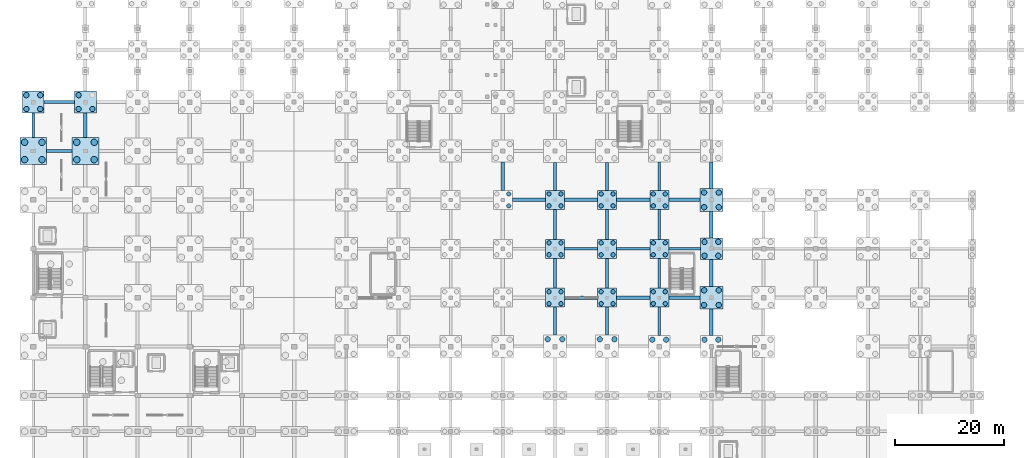
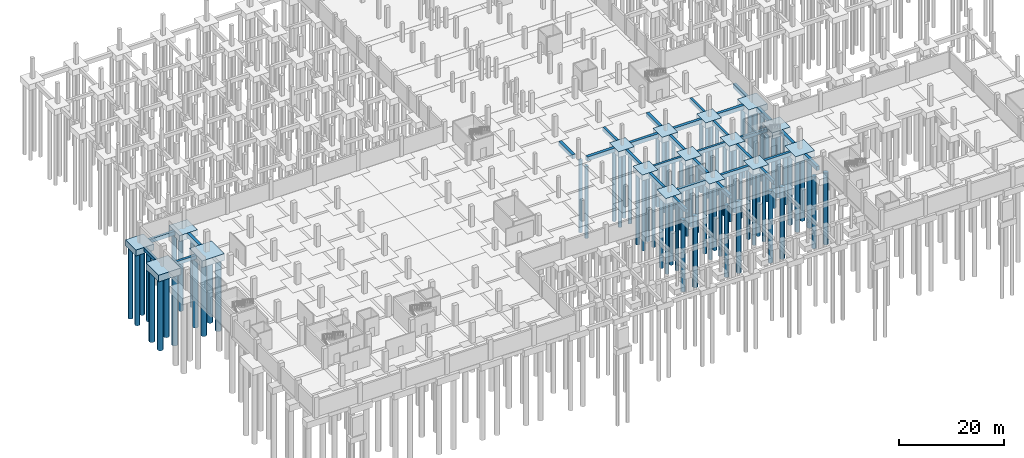
# One storey, part 5 of 39: 73 piles, 47 footings.
"""IFC4 building model written with IfcOpenShell, lengths in metres."""

from ifc_helpers import new_model, si_unit, direction, frame, origin, origin_2d, place, context, subcontext, project, spatial, polyline, rectangle, circle, outline, extrude, material, material_profile, profile_set, type_object, element, save


model = new_model("IFC4")

# Units and contexts
model_context = context("Model", 3, precision=1e-05, world=origin(), true_north=direction((0.0, 1.0)))
body_context = subcontext(model_context, "Body", "Model", "MODEL_VIEW")
ifc_project = project(units=[si_unit("LENGTHUNIT", "METRE"), si_unit("AREAUNIT", "SQUARE_METRE"), si_unit("VOLUMEUNIT", "CUBIC_METRE"), si_unit("PLANEANGLEUNIT", "RADIAN"), si_unit("MASSUNIT", "GRAM", prefix="KILO")], contexts=[model_context])

# Site, building, storey
site_placement = place(None, origin())
site = spatial("IfcSite", under=ifc_project, at=site_placement, CompositionType="ELEMENT")
building_placement = place(site_placement, origin())
building = spatial("IfcBuilding", under=site, at=building_placement, Name="Zarnetskaya Central Station", CompositionType="ELEMENT")
storey_placement = place(building_placement, frame((0.0, 0.0, -4.800048828125)))
storey = spatial("IfcBuildingStorey", under=building, at=storey_placement, Name="B1", CompositionType="ELEMENT", Elevation=-4.800048828125)

# Footings
ifc_material_1 = material(Name="Concrete C30/37", Category="concrete")
footing_type_1 = type_object("IfcFootingType", Name="FB-500x800", PredefinedType="FOOTING_BEAM", material=ifc_material_1)
footing_1_placement = place(storey_placement, frame((0.0, 0.0, -0.800048828125)))
element("IfcFooting", 1, at=footing_1_placement, inside=storey, type_object=footing_type_1, Name="Footing tie beam 6 L-M", PredefinedType="FOOTING_BEAM", context=body_context, shape_type="SweptSolid", body=[
    extrude(outline(polyline([(97.75, 39.949951171875), (103.85009765625, 39.949951171875), (103.85009765625, 40.449951171875), (97.75, 40.449951171875), (97.75, 39.949951171875)])), origin(), (0.0, 0.0, 1.0), 0.800048828125),
])
footing_2_placement = place(storey_placement, frame((0.0, 0.0, -0.800048828125)))
element("IfcFooting", 2, at=footing_2_placement, inside=storey, type_object=footing_type_1, Name="Footing tie beam 6 M-N", PredefinedType="FOOTING_BEAM", context=body_context, shape_type="SweptSolid", body=[
    extrude(outline(polyline([(107.35009765625, 39.949951171875), (113.449951171875, 39.949951171875), (113.449951171875, 40.449951171875), (107.35009765625, 40.449951171875), (107.35009765625, 39.949951171875)])), origin(), (0.0, 0.0, 1.0), 0.800048828125),
])
footing_3_placement = place(storey_placement, frame((0.0, 0.0, -0.800048828125)))
element("IfcFooting", 3, at=footing_3_placement, inside=storey, type_object=footing_type_1, Name="Footing tie beam 6 N-P", PredefinedType="FOOTING_BEAM", context=body_context, shape_type="SweptSolid", body=[
    extrude(outline(polyline([(116.949951171875, 39.949951171875), (122.800048828125, 39.949951171875), (122.800048828125, 40.449951171875), (116.949951171875, 40.449951171875), (116.949951171875, 39.949951171875)])), origin(), (0.0, 0.0, 1.0), 0.800048828125),
])
footing_4_placement = place(storey_placement, frame((0.0, 0.0, -0.800048828125)))
element("IfcFooting", 4, at=footing_4_placement, inside=storey, type_object=footing_type_1, Name="Footing tie beam A 8-9", PredefinedType="FOOTING_BEAM", context=body_context, shape_type="SweptSolid", body=[
    extrude(outline(polyline([(-0.25, 60.64990234375), (0.25, 60.64990234375), (0.25, 65.199951171875), (-0.25, 65.199951171875), (-0.25, 60.64990234375)])), origin(), (0.0, 0.0, 1.0), 0.800048828125),
])
footing_5_placement = place(storey_placement, frame((0.0, 0.0, -0.800048828125)))
element("IfcFooting", 5, at=footing_5_placement, inside=storey, type_object=footing_type_1, Name="Footing tie beam N 4-5", PredefinedType="FOOTING_BEAM", context=body_context, shape_type="SweptSolid", body=[
    extrude(outline(polyline([(114.949951171875, 24.199951171875), (115.449951171875, 24.199951171875), (115.449951171875, 29.449951171875), (114.949951171875, 29.449951171875), (114.949951171875, 24.199951171875)])), origin(), (0.0, 0.0, 1.0), 0.800048828125),
])
footing_6_placement = place(storey_placement, frame((0.0, 0.0, -0.800048828125)))
element("IfcFooting", 6, at=footing_6_placement, inside=storey, type_object=footing_type_1, Name="Footing tie beam N 5-6", PredefinedType="FOOTING_BEAM", context=body_context, shape_type="SweptSolid", body=[
    extrude(outline(polyline([(114.949951171875, 32.949951171875), (115.449951171875, 32.949951171875), (115.449951171875, 38.449951171875), (114.949951171875, 38.449951171875), (114.949951171875, 32.949951171875)])), origin(), (0.0, 0.0, 1.0), 0.800048828125),
])
footing_7_placement = place(storey_placement, frame((0.0, 0.0, -0.800048828125)))
element("IfcFooting", 7, at=footing_7_placement, inside=storey, type_object=footing_type_1, Name="Footing tie beam N 6-7", PredefinedType="FOOTING_BEAM", context=body_context, shape_type="SweptSolid", body=[
    extrude(outline(polyline([(114.949951171875, 41.949951171875), (115.449951171875, 41.949951171875), (115.449951171875, 47.449951171875), (114.949951171875, 47.449951171875), (114.949951171875, 41.949951171875)])), origin(), (0.0, 0.0, 1.0), 0.800048828125),
])
footing_8_placement = place(storey_placement, frame((0.0, 0.0, -0.800048828125)))
element("IfcFooting", 8, at=footing_8_placement, inside=storey, type_object=footing_type_1, Name="Footing tie beam N 7-8", PredefinedType="FOOTING_BEAM", context=body_context, shape_type="SweptSolid", body=[
    extrude(outline(polyline([(114.949951171875, 50.949951171875), (115.449951171875, 50.949951171875), (115.449951171875, 56.199951171875), (114.949951171875, 56.199951171875), (114.949951171875, 50.949951171875)])), origin(), (0.0, 0.0, 1.0), 0.800048828125),
])
footing_type_2 = type_object("IfcFootingType", Name="FB-550x850", PredefinedType="FOOTING_BEAM", material=ifc_material_1)
footing_9_placement = place(storey_placement, frame((0.0, 0.0, -0.849853515625)))
element("IfcFooting", 9, at=footing_9_placement, inside=storey, type_object=footing_type_2, Name="Footing tie beam 8 A-B", PredefinedType="FOOTING_BEAM", context=body_context, shape_type="SweptSolid", body=[
    extrude(outline(polyline([(2.449951171875, 57.925048828125), (7.14990234375, 57.925048828125), (7.14990234375, 58.47509765625), (2.449951171875, 58.47509765625), (2.449951171875, 57.925048828125)])), origin(), (0.0, 0.0, 1.0), 0.849853515625),
])
footing_10_placement = place(storey_placement, frame((0.0, 0.0, -0.849853515625)))
element("IfcFooting", 10, at=footing_10_placement, inside=storey, type_object=footing_type_2, Name="Footing tie beam L 4-5", PredefinedType="FOOTING_BEAM", context=body_context, shape_type="SweptSolid", body=[
    extrude(outline(polyline([(95.72509765625, 24.300048828125), (96.27490234375, 24.300048828125), (96.27490234375, 29.449951171875), (95.72509765625, 29.449951171875), (95.72509765625, 24.300048828125)])), origin(), (0.0, 0.0, 1.0), 0.849853515625),
])
footing_11_placement = place(storey_placement, frame((0.0, 0.0, -0.849853515625)))
element("IfcFooting", 11, at=footing_11_placement, inside=storey, type_object=footing_type_2, Name="Footing tie beam L 5-6", PredefinedType="FOOTING_BEAM", context=body_context, shape_type="SweptSolid", body=[
    extrude(outline(polyline([(95.72509765625, 32.949951171875), (96.27490234375, 32.949951171875), (96.27490234375, 38.449951171875), (95.72509765625, 38.449951171875), (95.72509765625, 32.949951171875)])), origin(), (0.0, 0.0, 1.0), 0.849853515625),
])
footing_12_placement = place(storey_placement, frame((0.0, 0.0, -0.849853515625)))
element("IfcFooting", 12, at=footing_12_placement, inside=storey, type_object=footing_type_2, Name="Footing tie beam L 6-7", PredefinedType="FOOTING_BEAM", context=body_context, shape_type="SweptSolid", body=[
    extrude(outline(polyline([(95.72509765625, 41.949951171875), (96.27490234375, 41.949951171875), (96.27490234375, 47.449951171875), (95.72509765625, 47.449951171875), (95.72509765625, 41.949951171875)])), origin(), (0.0, 0.0, 1.0), 0.849853515625),
])
footing_13_placement = place(storey_placement, frame((0.0, 0.0, -0.849853515625)))
element("IfcFooting", 13, at=footing_13_placement, inside=storey, type_object=footing_type_2, Name="Footing tie beam L 7-8", PredefinedType="FOOTING_BEAM", context=body_context, shape_type="SweptSolid", body=[
    extrude(outline(polyline([(95.72509765625, 50.949951171875), (96.27490234375, 50.949951171875), (96.27490234375, 56.10009765625), (95.72509765625, 56.10009765625), (95.72509765625, 50.949951171875)])), origin(), (0.0, 0.0, 1.0), 0.849853515625),
])
footing_type_3 = type_object("IfcFootingType", Name="FB-600x900", PredefinedType="FOOTING_BEAM", material=ifc_material_1)
footing_14_placement = place(storey_placement, frame((0.0, 0.0, -0.89990234375)))
element("IfcFooting", 14, at=footing_14_placement, inside=storey, type_object=footing_type_3, Name="Footing tie beam 5 L-M", PredefinedType="FOOTING_BEAM", context=body_context, shape_type="SweptSolid", body=[
    extrude(outline(polyline([(97.75, 30.89990234375), (103.85009765625, 30.89990234375), (103.85009765625, 31.5), (97.75, 31.5), (97.75, 30.89990234375)])), origin(), (0.0, 0.0, 1.0), 0.89990234375),
])
footing_15_placement = place(storey_placement, frame((0.0, 0.0, -0.89990234375)))
element("IfcFooting", 15, at=footing_15_placement, inside=storey, type_object=footing_type_3, Name="Footing tie beam 5 M-N", PredefinedType="FOOTING_BEAM", context=body_context, shape_type="SweptSolid", body=[
    extrude(outline(polyline([(107.35009765625, 30.89990234375), (113.449951171875, 30.89990234375), (113.449951171875, 31.5), (107.35009765625, 31.5), (107.35009765625, 30.89990234375)])), origin(), (0.0, 0.0, 1.0), 0.89990234375),
])
footing_16_placement = place(storey_placement, frame((0.0, 0.0, -0.89990234375)))
element("IfcFooting", 16, at=footing_16_placement, inside=storey, type_object=footing_type_3, Name="Footing tie beam 5 N-P", PredefinedType="FOOTING_BEAM", context=body_context, shape_type="SweptSolid", body=[
    extrude(outline(polyline([(116.949951171875, 30.89990234375), (122.699951171875, 30.89990234375), (122.699951171875, 31.5), (116.949951171875, 31.5), (116.949951171875, 30.89990234375)])), origin(), (0.0, 0.0, 1.0), 0.89990234375),
])
footing_17_placement = place(storey_placement, frame((0.0, 0.0, -0.89990234375)))
element("IfcFooting", 17, at=footing_17_placement, inside=storey, type_object=footing_type_3, Name="Footing tie beam 9 A-B", PredefinedType="FOOTING_BEAM", context=body_context, shape_type="SweptSolid", body=[
    extrude(outline(polyline([(2.0, 66.89990234375), (7.60009765625, 66.89990234375), (7.60009765625, 67.5), (2.0, 67.5), (2.0, 66.89990234375)])), origin(), (0.0, 0.0, 1.0), 0.89990234375),
])
footing_18_placement = place(storey_placement, frame((0.0, 0.0, -0.89990234375)))
element("IfcFooting", 18, at=footing_18_placement, inside=storey, type_object=footing_type_3, Name="Footing tie beam M 4-5", PredefinedType="FOOTING_BEAM", context=body_context, shape_type="SweptSolid", body=[
    extrude(outline(polyline([(105.300048828125, 24.300048828125), (105.89990234375, 24.300048828125), (105.89990234375, 29.449951171875), (105.300048828125, 29.449951171875), (105.300048828125, 24.300048828125)])), origin(), (0.0, 0.0, 1.0), 0.89990234375),
])
footing_19_placement = place(storey_placement, frame((0.0, 0.0, -0.89990234375)))
element("IfcFooting", 19, at=footing_19_placement, inside=storey, type_object=footing_type_3, Name="Footing tie beam M 5-6", PredefinedType="FOOTING_BEAM", context=body_context, shape_type="SweptSolid", body=[
    extrude(outline(polyline([(105.300048828125, 32.949951171875), (105.89990234375, 32.949951171875), (105.89990234375, 38.449951171875), (105.300048828125, 38.449951171875), (105.300048828125, 32.949951171875)])), origin(), (0.0, 0.0, 1.0), 0.89990234375),
])
footing_20_placement = place(storey_placement, frame((0.0, 0.0, -0.89990234375)))
element("IfcFooting", 20, at=footing_20_placement, inside=storey, type_object=footing_type_3, Name="Footing tie beam M 6-7", PredefinedType="FOOTING_BEAM", context=body_context, shape_type="SweptSolid", body=[
    extrude(outline(polyline([(105.300048828125, 41.949951171875), (105.89990234375, 41.949951171875), (105.89990234375, 47.449951171875), (105.300048828125, 47.449951171875), (105.300048828125, 41.949951171875)])), origin(), (0.0, 0.0, 1.0), 0.89990234375),
])
footing_21_placement = place(storey_placement, frame((0.0, 0.0, -0.89990234375)))
element("IfcFooting", 21, at=footing_21_placement, inside=storey, type_object=footing_type_3, Name="Footing tie beam M 7-8", PredefinedType="FOOTING_BEAM", context=body_context, shape_type="SweptSolid", body=[
    extrude(outline(polyline([(105.300048828125, 50.949951171875), (105.89990234375, 50.949951171875), (105.89990234375, 56.10009765625), (105.300048828125, 56.10009765625), (105.300048828125, 50.949951171875)])), origin(), (0.0, 0.0, 1.0), 0.89990234375),
])
footing_type_4 = type_object("IfcFootingType", Name="FB-650x950", PredefinedType="FOOTING_BEAM", material=ifc_material_1)
footing_22_placement = place(storey_placement, frame((0.0, 0.0, -0.949951171875)))
element("IfcFooting", 22, at=footing_22_placement, inside=storey, type_object=footing_type_4, Name="Footing tie beam 7 K-L", PredefinedType="FOOTING_BEAM", context=body_context, shape_type="SweptSolid", body=[
    extrude(outline(polyline([(88.14990234375, 48.875), (94.25, 48.875), (94.25, 49.52490234375), (88.14990234375, 49.52490234375), (88.14990234375, 48.875)])), origin(), (0.0, 0.0, 1.0), 0.949951171875),
])
footing_23_placement = place(storey_placement, frame((0.0, 0.0, -0.949951171875)))
element("IfcFooting", 23, at=footing_23_placement, inside=storey, type_object=footing_type_4, Name="Footing tie beam 7 L-M", PredefinedType="FOOTING_BEAM", context=body_context, shape_type="SweptSolid", body=[
    extrude(outline(polyline([(97.75, 48.875), (103.85009765625, 48.875), (103.85009765625, 49.52490234375), (97.75, 49.52490234375), (97.75, 48.875)])), origin(), (0.0, 0.0, 1.0), 0.949951171875),
])
footing_24_placement = place(storey_placement, frame((0.0, 0.0, -0.949951171875)))
element("IfcFooting", 24, at=footing_24_placement, inside=storey, type_object=footing_type_4, Name="Footing tie beam 7 M-N", PredefinedType="FOOTING_BEAM", context=body_context, shape_type="SweptSolid", body=[
    extrude(outline(polyline([(107.35009765625, 48.875), (113.449951171875, 48.875), (113.449951171875, 49.52490234375), (107.35009765625, 49.52490234375), (107.35009765625, 48.875)])), origin(), (0.0, 0.0, 1.0), 0.949951171875),
])
footing_25_placement = place(storey_placement, frame((0.0, 0.0, -0.949951171875)))
element("IfcFooting", 25, at=footing_25_placement, inside=storey, type_object=footing_type_4, Name="Footing tie beam 7 N-P", PredefinedType="FOOTING_BEAM", context=body_context, shape_type="SweptSolid", body=[
    extrude(outline(polyline([(116.949951171875, 48.875), (122.699951171875, 48.875), (122.699951171875, 49.52490234375), (116.949951171875, 49.52490234375), (116.949951171875, 48.875)])), origin(), (0.0, 0.0, 1.0), 0.949951171875),
])
footing_26_placement = place(storey_placement, frame((0.0, 0.0, -0.949951171875)))
element("IfcFooting", 26, at=footing_26_placement, inside=storey, type_object=footing_type_4, Name="Footing tie beam B 8-9", PredefinedType="FOOTING_BEAM", context=body_context, shape_type="SweptSolid", body=[
    extrude(outline(polyline([(9.27490234375, 60.64990234375), (9.925048828125, 60.64990234375), (9.925048828125, 65.199951171875), (9.27490234375, 65.199951171875), (9.27490234375, 60.64990234375)])), origin(), (0.0, 0.0, 1.0), 0.949951171875),
])
footing_27_placement = place(storey_placement, frame((0.0, 0.0, -0.949951171875)))
element("IfcFooting", 27, at=footing_27_placement, inside=storey, type_object=footing_type_4, Name="Footing tie beam K 7-8", PredefinedType="FOOTING_BEAM", context=body_context, shape_type="SweptSolid", body=[
    extrude(outline(polyline([(86.074951171875, 50.949951171875), (86.72509765625, 50.949951171875), (86.72509765625, 56.199951171875), (86.074951171875, 56.199951171875), (86.074951171875, 50.949951171875)])), origin(), (0.0, 0.0, 1.0), 0.949951171875),
])
footing_28_placement = place(storey_placement, frame((0.0, 0.0, -0.949951171875)))
element("IfcFooting", 28, at=footing_28_placement, inside=storey, type_object=footing_type_4, Name="Footing tie beam P 4-5", PredefinedType="FOOTING_BEAM", context=body_context, shape_type="SweptSolid", body=[
    extrude(outline(polyline([(124.47509765625, 24.199951171875), (125.125, 24.199951171875), (125.125, 29.10009765625), (124.47509765625, 29.10009765625), (124.47509765625, 24.199951171875)])), origin(), (0.0, 0.0, 1.0), 0.949951171875),
])
footing_29_placement = place(storey_placement, frame((0.0, 0.0, -0.949951171875)))
element("IfcFooting", 29, at=footing_29_placement, inside=storey, type_object=footing_type_4, Name="Footing tie beam P 5-6", PredefinedType="FOOTING_BEAM", context=body_context, shape_type="SweptSolid", body=[
    extrude(outline(polyline([(124.47509765625, 33.300048828125), (125.125, 33.300048828125), (125.125, 38.199951171875), (124.47509765625, 38.199951171875), (124.47509765625, 33.300048828125)])), origin(), (0.0, 0.0, 1.0), 0.949951171875),
])
footing_30_placement = place(storey_placement, frame((0.0, 0.0, -0.949951171875)))
element("IfcFooting", 30, at=footing_30_placement, inside=storey, type_object=footing_type_4, Name="Footing tie beam P 6-7", PredefinedType="FOOTING_BEAM", context=body_context, shape_type="SweptSolid", body=[
    extrude(outline(polyline([(124.47509765625, 42.199951171875), (125.125, 42.199951171875), (125.125, 47.10009765625), (124.47509765625, 47.10009765625), (124.47509765625, 42.199951171875)])), origin(), (0.0, 0.0, 1.0), 0.949951171875),
])
footing_31_placement = place(storey_placement, frame((0.0, 0.0, -0.949951171875)))
element("IfcFooting", 31, at=footing_31_placement, inside=storey, type_object=footing_type_4, Name="Footing tie beam P 7-8", PredefinedType="FOOTING_BEAM", context=body_context, shape_type="SweptSolid", body=[
    extrude(outline(polyline([(124.47509765625, 51.300048828125), (125.125, 51.300048828125), (125.125, 56.199951171875), (124.47509765625, 56.199951171875), (124.47509765625, 51.300048828125)])), origin(), (0.0, 0.0, 1.0), 0.949951171875),
])
ifc_material_2 = material(Name="Concrete C35/45", Category="concrete")
footing_type_5 = type_object("IfcFootingType", Name="PC-4P-1000A", PredefinedType="PILE_CAP", material=ifc_material_2)
for number, where, z_axis, x_axis, name in (
    (32, (124.800048828125, 31.199951171875, -1.44970703125), (0.0, 0.0, 1.0), (1.0, 0.0, 0.0), "Pile cap P5"),
    (33, (124.800048828125, 49.199951171875, -1.44970703125), (0.0, 0.0, 1.0), (1.0, 0.0, 0.0), "Pile cap P7"),
):
    element("IfcFooting", number, at=place(storey_placement, frame(where, z_axis=z_axis, x_axis=x_axis)), inside=storey, type_object=footing_type_5, Name=name, PredefinedType="PILE_CAP", context=body_context, shape_type="SweptSolid", body=[
        extrude(rectangle(XDim=4.199951171875, YDim=4.199951171875, at=origin_2d()), origin(), (0.0, 0.0, 1.0), 1.449951171875),
    ])
footing_type_6 = type_object("IfcFootingType", Name="PC-4P-1000B", PredefinedType="PILE_CAP", material=ifc_material_2)
for number, where, z_axis, x_axis, name in (
    (34, (0.0, 67.199951171875, -1.39990234375), (0.0, 0.0, 1.0), (1.0, 0.0, 0.0), "Pile cap A9"),
    (35, (9.60009765625, 67.199951171875, -1.39990234375), (0.0, 0.0, 1.0), (1.0, 0.0, 0.0), "Pile cap B9"),
    (36, (124.800048828125, 40.199951171875, -1.39990234375), (0.0, 0.0, 1.0), (1.0, 0.0, 0.0), "Pile cap P6"),
):
    element("IfcFooting", number, at=place(storey_placement, frame(where, z_axis=z_axis, x_axis=x_axis)), inside=storey, type_object=footing_type_6, Name=name, PredefinedType="PILE_CAP", context=body_context, shape_type="SweptSolid", body=[
        extrude(rectangle(XDim=4.0, YDim=4.0, at=origin_2d()), origin(), (0.0, 0.0, 1.0), 1.39990234375),
    ])
footing_type_7 = type_object("IfcFootingType", Name="PC-4P-1200A", PredefinedType="PILE_CAP", material=ifc_material_2)
for number, where, z_axis, x_axis, name in (
    (37, (0.0, 58.199951171875, -1.5498046875), (0.0, 0.0, 1.0), (1.0, 0.0, 0.0), "Pile cap A8"),
    (38, (9.60009765625, 58.199951171875, -1.5498046875), (0.0, 0.0, 1.0), (1.0, 0.0, 0.0), "Pile cap B8"),
):
    element("IfcFooting", number, at=place(storey_placement, frame(where, z_axis=z_axis, x_axis=x_axis)), inside=storey, type_object=footing_type_7, Name=name, PredefinedType="PILE_CAP", context=body_context, shape_type="SweptSolid", body=[
        extrude(rectangle(XDim=4.89990234375, YDim=4.89990234375, at=origin_2d()), origin(), (0.0, 0.0, 1.0), 1.550048828125),
    ])
footing_type_8 = type_object("IfcFootingType", Name="PC-4P-800A", PredefinedType="PILE_CAP", material=ifc_material_2)
for number, where, z_axis, x_axis, name in (
    (39, (96.0, 31.199951171875, -1.35009765625), (0.0, 0.0, 1.0), (1.0, 0.0, 0.0), "Pile cap L5"),
    (40, (96.0, 40.199951171875, -1.35009765625), (0.0, 0.0, 1.0), (1.0, 0.0, 0.0), "Pile cap L6"),
    (41, (96.0, 49.199951171875, -1.35009765625), (0.0, 0.0, 1.0), (1.0, 0.0, 0.0), "Pile cap L7"),
    (42, (105.60009765625, 31.199951171875, -1.35009765625), (0.0, 0.0, 1.0), (1.0, 0.0, 0.0), "Pile cap M5"),
    (43, (105.60009765625, 40.199951171875, -1.35009765625), (0.0, 0.0, 1.0), (1.0, 0.0, 0.0), "Pile cap M6"),
    (44, (105.60009765625, 49.199951171875, -1.35009765625), (0.0, 0.0, 1.0), (1.0, 0.0, 0.0), "Pile cap M7"),
    (45, (115.199951171875, 31.199951171875, -1.35009765625), (0.0, 0.0, 1.0), (1.0, 0.0, 0.0), "Pile cap N5"),
    (46, (115.199951171875, 40.199951171875, -1.35009765625), (0.0, 0.0, 1.0), (1.0, 0.0, 0.0), "Pile cap N6"),
    (47, (115.199951171875, 49.199951171875, -1.35009765625), (0.0, 0.0, 1.0), (1.0, 0.0, 0.0), "Pile cap N7"),
):
    element("IfcFooting", number, at=place(storey_placement, frame(where, z_axis=z_axis, x_axis=x_axis)), inside=storey, type_object=footing_type_8, Name=name, PredefinedType="PILE_CAP", context=body_context, shape_type="SweptSolid", body=[
        extrude(rectangle(XDim=3.5, YDim=3.5, at=origin_2d()), origin(), (0.0, 0.0, 1.0), 1.35009765625),
    ])

# Piles
ifc_material_profile_1 = material_profile(ifc_material_2, circle(Radius=0.5, at=origin_2d()), Name="BORED PILE D1000")
ifc_profile_set_1 = profile_set([ifc_material_profile_1], Name="Concrete C35/45")
pile_type_1 = type_object("IfcPileType", Name="PILE-D1000", PredefinedType="BORED", material=ifc_profile_set_1)
for number, where, z_axis, x_axis, name in (
    (48, (-1.27490234375, 65.925048828125, -1.25), (0.0, 0.0, -1.0), (1.0, 0.0, 0.0), "Bored pile A9-11"),
    (49, (-1.27490234375, 68.47509765625, -1.25), (0.0, 0.0, -1.0), (1.0, 0.0, 0.0), "Bored pile A9-12"),
    (50, (1.27490234375, 65.925048828125, -1.25), (0.0, 0.0, -1.0), (1.0, 0.0, 0.0), "Bored pile A9-21"),
    (51, (1.27490234375, 68.47509765625, -1.25), (0.0, 0.0, -1.0), (1.0, 0.0, 0.0), "Bored pile A9-22"),
    (52, (8.324951171875, 65.925048828125, -1.25), (0.0, 0.0, -1.0), (1.0, 0.0, 0.0), "Bored pile B9-11"),
    (53, (8.324951171875, 68.47509765625, -1.25), (0.0, 0.0, -1.0), (1.0, 0.0, 0.0), "Bored pile B9-12"),
    (54, (10.875, 65.925048828125, -1.25), (0.0, 0.0, -1.0), (1.0, 0.0, 0.0), "Bored pile B9-21"),
):
    element("IfcPile", number, at=place(storey_placement, frame(where, z_axis=z_axis, x_axis=x_axis)), inside=storey, type_object=pile_type_1, Name=name, PredefinedType="BORED", context=body_context, shape_type="SweptSolid", body=[
        extrude(circle(Radius=0.5, at=origin_2d()), origin(), (0.0, 0.0, 1.0), 16.75),
    ])
for number, where, z_axis, x_axis, name in (
    (55, (94.64990234375, 23.550048828125, -1.300048828125), (0.0, 0.0, -1.0), (1.0, 0.0, 0.0), "Bored pile L4-12"),
    (56, (97.35009765625, 23.550048828125, -1.300048828125), (0.0, 0.0, -1.0), (1.0, 0.0, 0.0), "Bored pile L4-22"),
    (57, (104.25, 23.550048828125, -1.300048828125), (0.0, 0.0, -1.0), (1.0, 0.0, 0.0), "Bored pile M4-12"),
    (58, (106.949951171875, 23.550048828125, -1.300048828125), (0.0, 0.0, -1.0), (1.0, 0.0, 0.0), "Bored pile M4-22"),
):
    element("IfcPile", number, at=place(storey_placement, frame(where, z_axis=z_axis, x_axis=x_axis)), inside=storey, type_object=pile_type_1, Name=name, PredefinedType="BORED", context=body_context, shape_type="SweptSolid", body=[
        extrude(circle(Radius=0.5, at=origin_2d()), origin(), (0.0, 0.0, 1.0), 16.699951171875),
    ])
for number, where, z_axis, x_axis, name in (
    (59, (113.925048828125, 23.47509765625, -1.25), (0.0, 0.0, -1.0), (1.0, 0.0, 0.0), "Bored pile N4-12"),
    (60, (116.47509765625, 23.47509765625, -1.25), (0.0, 0.0, -1.0), (1.0, 0.0, 0.0), "Bored pile N4-22"),
    (61, (123.52490234375, 23.47509765625, -1.25), (0.0, 0.0, -1.0), (1.0, 0.0, 0.0), "Bored pile P4-12"),
    (62, (126.074951171875, 23.47509765625, -1.25), (0.0, 0.0, -1.0), (1.0, 0.0, 0.0), "Bored pile P4-22"),
):
    element("IfcPile", number, at=place(storey_placement, frame(where, z_axis=z_axis, x_axis=x_axis)), inside=storey, type_object=pile_type_1, Name=name, PredefinedType="BORED", context=body_context, shape_type="SweptSolid", body=[
        extrude(circle(Radius=0.5, at=origin_2d()), origin(), (0.0, 0.0, 1.0), 16.75),
    ])
for number, where, z_axis, x_axis, name in (
    (63, (123.449951171875, 29.85009765625, -1.300048828125), (0.0, 0.0, -1.0), (1.0, 0.0, 0.0), "Bored pile P5-11"),
    (64, (123.449951171875, 32.550048828125, -1.300048828125), (0.0, 0.0, -1.0), (1.0, 0.0, 0.0), "Bored pile P5-12"),
    (65, (126.14990234375, 29.85009765625, -1.300048828125), (0.0, 0.0, -1.0), (1.0, 0.0, 0.0), "Bored pile P5-21"),
    (66, (126.14990234375, 32.550048828125, -1.300048828125), (0.0, 0.0, -1.0), (1.0, 0.0, 0.0), "Bored pile P5-22"),
):
    element("IfcPile", number, at=place(storey_placement, frame(where, z_axis=z_axis, x_axis=x_axis)), inside=storey, type_object=pile_type_1, Name=name, PredefinedType="BORED", context=body_context, shape_type="SweptSolid", body=[
        extrude(circle(Radius=0.5, at=origin_2d()), origin(), (0.0, 0.0, 1.0), 16.699951171875),
    ])
for number, where, z_axis, x_axis, name in (
    (67, (123.52490234375, 38.925048828125, -1.25), (0.0, 0.0, -1.0), (1.0, 0.0, 0.0), "Bored pile P6-11"),
    (68, (123.52490234375, 41.47509765625, -1.25), (0.0, 0.0, -1.0), (1.0, 0.0, 0.0), "Bored pile P6-12"),
    (69, (126.074951171875, 38.925048828125, -1.25), (0.0, 0.0, -1.0), (1.0, 0.0, 0.0), "Bored pile P6-21"),
    (70, (126.074951171875, 41.47509765625, -1.25), (0.0, 0.0, -1.0), (1.0, 0.0, 0.0), "Bored pile P6-22"),
):
    element("IfcPile", number, at=place(storey_placement, frame(where, z_axis=z_axis, x_axis=x_axis)), inside=storey, type_object=pile_type_1, Name=name, PredefinedType="BORED", context=body_context, shape_type="SweptSolid", body=[
        extrude(circle(Radius=0.5, at=origin_2d()), origin(), (0.0, 0.0, 1.0), 16.75),
    ])
for number, where, z_axis, x_axis, name in (
    (71, (123.449951171875, 47.85009765625, -1.300048828125), (0.0, 0.0, -1.0), (1.0, 0.0, 0.0), "Bored pile P7-11"),
    (72, (123.449951171875, 50.550048828125, -1.300048828125), (0.0, 0.0, -1.0), (1.0, 0.0, 0.0), "Bored pile P7-12"),
    (73, (126.14990234375, 47.85009765625, -1.300048828125), (0.0, 0.0, -1.0), (1.0, 0.0, 0.0), "Bored pile P7-21"),
    (74, (126.14990234375, 50.550048828125, -1.300048828125), (0.0, 0.0, -1.0), (1.0, 0.0, 0.0), "Bored pile P7-22"),
):
    element("IfcPile", number, at=place(storey_placement, frame(where, z_axis=z_axis, x_axis=x_axis)), inside=storey, type_object=pile_type_1, Name=name, PredefinedType="BORED", context=body_context, shape_type="SweptSolid", body=[
        extrude(circle(Radius=0.5, at=origin_2d()), origin(), (0.0, 0.0, 1.0), 16.699951171875),
    ])
ifc_material_profile_2 = material_profile(ifc_material_2, circle(Radius=0.60009765625, at=origin_2d()), Name="BORED PILE D1200")
ifc_profile_set_2 = profile_set([ifc_material_profile_2], Name="Concrete C35/45")
pile_type_2 = type_object("IfcPileType", Name="PILE-D1200", PredefinedType="BORED", material=ifc_profile_set_2)
for number, where, z_axis, x_axis, name in (
    (75, (-1.60009765625, 56.60009765625, -1.39990234375), (0.0, 0.0, -1.0), (1.0, 0.0, 0.0), "Bored pile A8-11"),
    (76, (-1.60009765625, 59.800048828125, -1.39990234375), (0.0, 0.0, -1.0), (1.0, 0.0, 0.0), "Bored pile A8-12"),
    (77, (1.60009765625, 56.60009765625, -1.39990234375), (0.0, 0.0, -1.0), (1.0, 0.0, 0.0), "Bored pile A8-21"),
    (78, (1.60009765625, 59.800048828125, -1.39990234375), (0.0, 0.0, -1.0), (1.0, 0.0, 0.0), "Bored pile A8-22"),
    (79, (8.0, 56.60009765625, -1.39990234375), (0.0, 0.0, -1.0), (1.0, 0.0, 0.0), "Bored pile B8-11"),
    (80, (8.0, 59.800048828125, -1.39990234375), (0.0, 0.0, -1.0), (1.0, 0.0, 0.0), "Bored pile B8-12"),
    (81, (11.199951171875, 56.60009765625, -1.39990234375), (0.0, 0.0, -1.0), (1.0, 0.0, 0.0), "Bored pile B8-21"),
    (82, (11.199951171875, 59.800048828125, -1.39990234375), (0.0, 0.0, -1.0), (1.0, 0.0, 0.0), "Bored pile B8-22"),
):
    element("IfcPile", number, at=place(storey_placement, frame(where, z_axis=z_axis, x_axis=x_axis)), inside=storey, type_object=pile_type_2, Name=name, PredefinedType="BORED", context=body_context, shape_type="SweptSolid", body=[
        extrude(circle(Radius=0.60009765625, at=origin_2d()), origin(), (0.0, 0.0, 1.0), 16.60009765625),
    ])
ifc_material_profile_3 = material_profile(ifc_material_2, circle(Radius=0.39990234375, at=origin_2d()), Name="BORED PILE D800")
ifc_profile_set_3 = profile_set([ifc_material_profile_3], Name="Concrete C35/45")
pile_type_3 = type_object("IfcPileType", Name="PILE-D800", PredefinedType="BORED", material=ifc_profile_set_3)
for number, where, z_axis, x_axis, name in (
    (83, (87.5, 48.10009765625, -1.199951171875), (0.0, 0.0, -1.0), (1.0, 0.0, 0.0), "Bored pile K7-21"),
    (84, (87.5, 50.300048828125, -1.199951171875), (0.0, 0.0, -1.0), (1.0, 0.0, 0.0), "Bored pile K7-22"),
    (85, (94.89990234375, 30.10009765625, -1.199951171875), (0.0, 0.0, -1.0), (1.0, 0.0, 0.0), "Bored pile L5-11"),
    (86, (94.89990234375, 32.300048828125, -1.199951171875), (0.0, 0.0, -1.0), (1.0, 0.0, 0.0), "Bored pile L5-12"),
    (87, (97.10009765625, 30.10009765625, -1.199951171875), (0.0, 0.0, -1.0), (1.0, 0.0, 0.0), "Bored pile L5-21"),
    (88, (97.10009765625, 32.300048828125, -1.199951171875), (0.0, 0.0, -1.0), (1.0, 0.0, 0.0), "Bored pile L5-22"),
    (89, (94.89990234375, 39.10009765625, -1.199951171875), (0.0, 0.0, -1.0), (1.0, 0.0, 0.0), "Bored pile L6-11"),
    (90, (94.89990234375, 41.300048828125, -1.199951171875), (0.0, 0.0, -1.0), (1.0, 0.0, 0.0), "Bored pile L6-12"),
    (91, (97.10009765625, 39.10009765625, -1.199951171875), (0.0, 0.0, -1.0), (1.0, 0.0, 0.0), "Bored pile L6-21"),
    (92, (97.10009765625, 41.300048828125, -1.199951171875), (0.0, 0.0, -1.0), (1.0, 0.0, 0.0), "Bored pile L6-22"),
    (93, (94.89990234375, 48.10009765625, -1.199951171875), (0.0, 0.0, -1.0), (1.0, 0.0, 0.0), "Bored pile L7-11"),
    (94, (94.89990234375, 50.300048828125, -1.199951171875), (0.0, 0.0, -1.0), (1.0, 0.0, 0.0), "Bored pile L7-12"),
    (95, (97.10009765625, 48.10009765625, -1.199951171875), (0.0, 0.0, -1.0), (1.0, 0.0, 0.0), "Bored pile L7-21"),
    (96, (97.10009765625, 50.300048828125, -1.199951171875), (0.0, 0.0, -1.0), (1.0, 0.0, 0.0), "Bored pile L7-22"),
    (97, (104.5, 30.10009765625, -1.199951171875), (0.0, 0.0, -1.0), (1.0, 0.0, 0.0), "Bored pile M5-11"),
    (98, (104.5, 32.300048828125, -1.199951171875), (0.0, 0.0, -1.0), (1.0, 0.0, 0.0), "Bored pile M5-12"),
    (99, (106.699951171875, 30.10009765625, -1.199951171875), (0.0, 0.0, -1.0), (1.0, 0.0, 0.0), "Bored pile M5-21"),
    (100, (106.699951171875, 32.300048828125, -1.199951171875), (0.0, 0.0, -1.0), (1.0, 0.0, 0.0), "Bored pile M5-22"),
    (101, (104.5, 39.10009765625, -1.199951171875), (0.0, 0.0, -1.0), (1.0, 0.0, 0.0), "Bored pile M6-11"),
    (102, (104.5, 41.300048828125, -1.199951171875), (0.0, 0.0, -1.0), (1.0, 0.0, 0.0), "Bored pile M6-12"),
    (103, (106.699951171875, 39.10009765625, -1.199951171875), (0.0, 0.0, -1.0), (1.0, 0.0, 0.0), "Bored pile M6-21"),
    (104, (106.699951171875, 41.300048828125, -1.199951171875), (0.0, 0.0, -1.0), (1.0, 0.0, 0.0), "Bored pile M6-22"),
    (105, (104.5, 48.10009765625, -1.199951171875), (0.0, 0.0, -1.0), (1.0, 0.0, 0.0), "Bored pile M7-11"),
    (106, (104.5, 50.300048828125, -1.199951171875), (0.0, 0.0, -1.0), (1.0, 0.0, 0.0), "Bored pile M7-12"),
    (107, (106.699951171875, 48.10009765625, -1.199951171875), (0.0, 0.0, -1.0), (1.0, 0.0, 0.0), "Bored pile M7-21"),
    (108, (106.699951171875, 50.300048828125, -1.199951171875), (0.0, 0.0, -1.0), (1.0, 0.0, 0.0), "Bored pile M7-22"),
    (109, (114.10009765625, 30.10009765625, -1.199951171875), (0.0, 0.0, -1.0), (1.0, 0.0, 0.0), "Bored pile N5-11"),
    (110, (114.10009765625, 32.300048828125, -1.199951171875), (0.0, 0.0, -1.0), (1.0, 0.0, 0.0), "Bored pile N5-12"),
    (111, (116.300048828125, 30.10009765625, -1.199951171875), (0.0, 0.0, -1.0), (1.0, 0.0, 0.0), "Bored pile N5-21"),
    (112, (116.300048828125, 32.300048828125, -1.199951171875), (0.0, 0.0, -1.0), (1.0, 0.0, 0.0), "Bored pile N5-22"),
    (113, (114.10009765625, 39.10009765625, -1.199951171875), (0.0, 0.0, -1.0), (1.0, 0.0, 0.0), "Bored pile N6-11"),
    (114, (114.10009765625, 41.300048828125, -1.199951171875), (0.0, 0.0, -1.0), (1.0, 0.0, 0.0), "Bored pile N6-12"),
    (115, (116.300048828125, 39.10009765625, -1.199951171875), (0.0, 0.0, -1.0), (1.0, 0.0, 0.0), "Bored pile N6-21"),
    (116, (116.300048828125, 41.300048828125, -1.199951171875), (0.0, 0.0, -1.0), (1.0, 0.0, 0.0), "Bored pile N6-22"),
    (117, (114.10009765625, 48.10009765625, -1.199951171875), (0.0, 0.0, -1.0), (1.0, 0.0, 0.0), "Bored pile N7-11"),
    (118, (114.10009765625, 50.300048828125, -1.199951171875), (0.0, 0.0, -1.0), (1.0, 0.0, 0.0), "Bored pile N7-12"),
    (119, (116.300048828125, 48.10009765625, -1.199951171875), (0.0, 0.0, -1.0), (1.0, 0.0, 0.0), "Bored pile N7-21"),
    (120, (116.300048828125, 50.300048828125, -1.199951171875), (0.0, 0.0, -1.0), (1.0, 0.0, 0.0), "Bored pile N7-22"),
):
    element("IfcPile", number, at=place(storey_placement, frame(where, z_axis=z_axis, x_axis=x_axis)), inside=storey, type_object=pile_type_3, Name=name, PredefinedType="BORED", context=body_context, shape_type="SweptSolid", body=[
        extrude(circle(Radius=0.39990234375, at=origin_2d()), origin(), (0.0, 0.0, 1.0), 16.800048828125),
    ])

save(model, "model.ifc")
